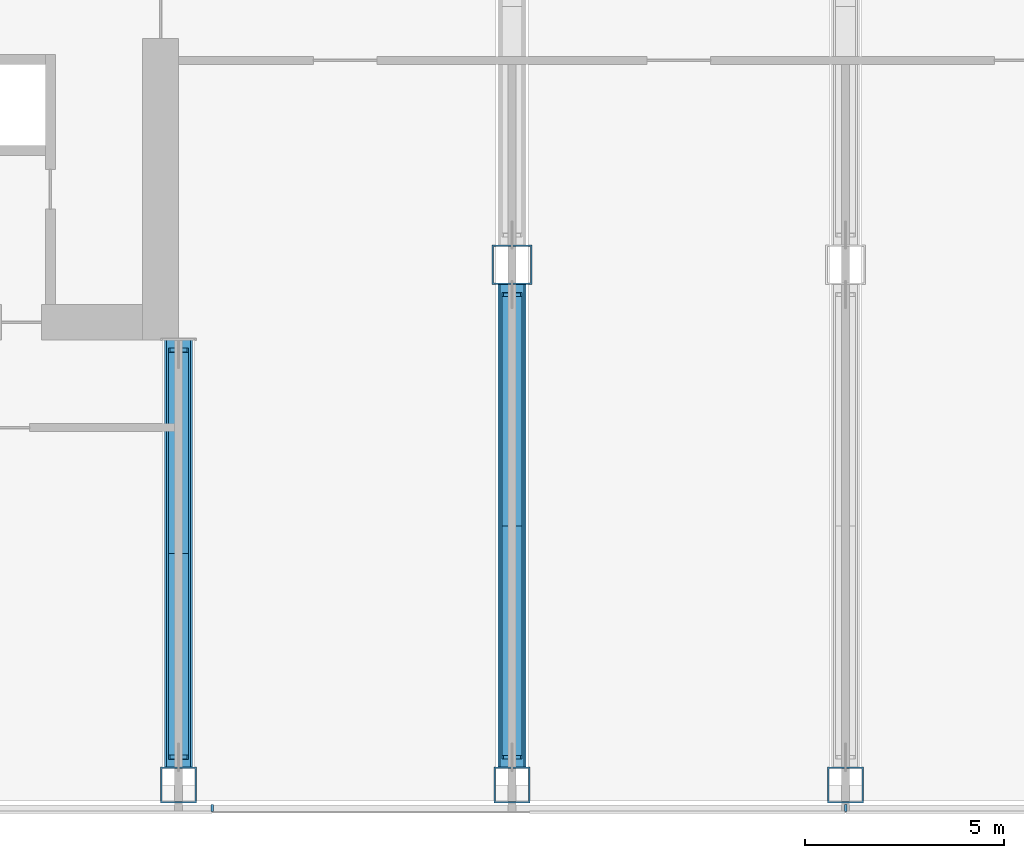
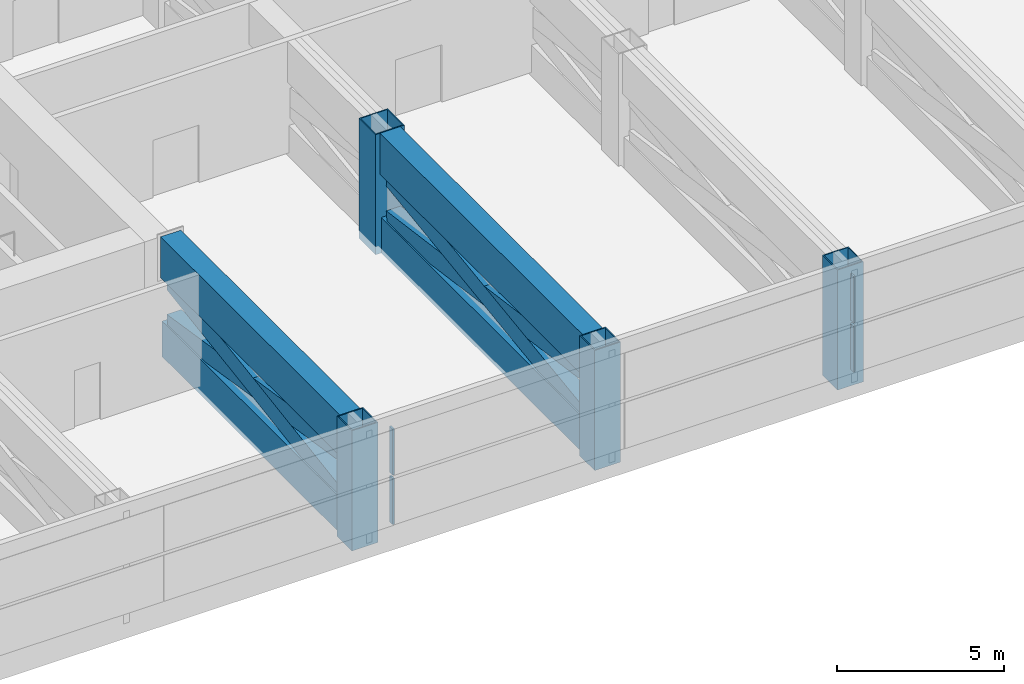
# One storey, part 5 of 30: 16 members, 1 element without a shape of its own.
"""IFC4 building model written with IfcOpenShell, lengths in metres."""

from ifc_helpers import new_model, si_unit, direction, frame, origin, origin_2d, place, context, subcontext, project, spatial, rectangle, hollow_rectangle, extrude, material, layer, layer_set, material_profile, profile_set, type_object, element, aggregate, save


model = new_model("IFC4")

# Units and contexts
model_context = context("Model", 3, precision=1e-05, world=origin(), true_north=direction((0.0, 1.0)))
body_context = subcontext(model_context, "Body", "Model", "MODEL_VIEW")
ifc_project = project(units=[si_unit("LENGTHUNIT", "METRE"), si_unit("AREAUNIT", "SQUARE_METRE"), si_unit("VOLUMEUNIT", "CUBIC_METRE"), si_unit("PLANEANGLEUNIT", "RADIAN"), si_unit("MASSUNIT", "GRAM", prefix="KILO")], contexts=[model_context])

# Site, building, storey
site_placement = place(None, origin())
site = spatial("IfcSite", under=ifc_project, at=site_placement, CompositionType="ELEMENT")
building_placement = place(site_placement, origin())
building = spatial("IfcBuilding", under=site, at=building_placement, Name="Hakoniwa Tower and Hamabe Station Hall", CompositionType="ELEMENT")
storey_placement = place(building_placement, frame((0.0, 0.0, 64.60009765625)))
storey = spatial("IfcBuildingStorey", under=building, at=storey_placement, Name="L18", CompositionType="ELEMENT", Elevation=64.60009765625)

# Curtain wall, members
ifc_material_1 = material(Name="Dark low-e laminated glass", Category="glass")
ifc_layer = layer(ifc_material_1, 0.199951171875)
ifc_layer_set = layer_set([ifc_layer], Name="CW-6 PLANT LOUVRE")
curtain_wall_type = type_object("IfcCurtainWallType", Name="CW-6 PLANT LOUVRE", PredefinedType="NOTDEFINED", material=ifc_layer_set)
curtain_wall_placement = place(storey_placement, origin())
curtain_wall = element("IfcCurtainWall", 1, at=curtain_wall_placement, inside=storey, type_object=curtain_wall_type, Name="CW-6 curtain wall", PredefinedType="NOTDEFINED")
ifc_material_2 = material(Name="Aluminium 6063-T5 black anodised", Category="aluminium")
ifc_material_profile_1 = material_profile(ifc_material_2, rectangle(XDim=0.06005859375, YDim=0.179931640625, at=origin_2d()), Name="CW-1 MULLION 60X180")
ifc_profile_set_1 = profile_set([ifc_material_profile_1], Name="Aluminium 6063-T5 black anodised")
member_type_1 = type_object("IfcMemberType", Name="CW-1 MULLION 60X180", PredefinedType="MULLION", material=ifc_profile_set_1)
member_1_placement = place(storey_placement, frame((-15.946533203125, -20.181884765625, 0.349853515625), z_axis=(0.0, 0.0, 1.0), x_axis=(1.0, 0.0, 0.0)))
member_1 = element("IfcMember", 2, at=member_1_placement, type_object=member_type_1, Name="CW-6 mullion", PredefinedType="MULLION", context=body_context, shape_type="SweptSolid", body=[
    extrude(rectangle(XDim=0.06005859375, YDim=0.179931640625, at=origin_2d()), origin(), (0.0, 0.0, 1.0), 1.68994140625),
])
member_2_placement = place(storey_placement, frame((-15.946533203125, -20.181884765625, 2.159912109375), z_axis=(0.0, 0.0, 1.0), x_axis=(1.0, 0.0, 0.0)))
member_2 = element("IfcMember", 3, at=member_2_placement, type_object=member_type_1, Name="CW-6 mullion", PredefinedType="MULLION", context=body_context, shape_type="SweptSolid", body=[
    extrude(rectangle(XDim=0.06005859375, YDim=0.179931640625, at=origin_2d()), origin(), (0.0, 0.0, 1.0), 1.68994140625),
])
member_3_placement = place(storey_placement, frame((0.0, -20.181884765625, 0.349853515625), z_axis=(0.0, 0.0, 1.0), x_axis=(1.0, 0.0, 0.0)))
member_3 = element("IfcMember", 4, at=member_3_placement, type_object=member_type_1, Name="CW-6 mullion", PredefinedType="MULLION", context=body_context, shape_type="SweptSolid", body=[
    extrude(rectangle(XDim=0.06005859375, YDim=0.179931640625, at=origin_2d()), origin(), (0.0, 0.0, 1.0), 1.68994140625),
])
member_4_placement = place(storey_placement, frame((0.0, -20.181884765625, 2.159912109375), z_axis=(0.0, 0.0, 1.0), x_axis=(1.0, 0.0, 0.0)))
member_4 = element("IfcMember", 5, at=member_4_placement, type_object=member_type_1, Name="CW-6 mullion", PredefinedType="MULLION", context=body_context, shape_type="SweptSolid", body=[
    extrude(rectangle(XDim=0.06005859375, YDim=0.179931640625, at=origin_2d()), origin(), (0.0, 0.0, 1.0), 1.68994140625),
])
aggregate(curtain_wall, [member_1, member_2, member_3, member_4])

# Members
ifc_material_3 = material(Name="Steel SN490C", Category="steel")
ifc_material_profile_2 = material_profile(ifc_material_3, hollow_rectangle(XDim=0.60009765625, YDim=1.300048828125, WallThickness=0.050048828125, at=origin_2d()), Name="BX-1300x600x50")
ifc_profile_set_2 = profile_set([ifc_material_profile_2], Name="Steel SN490C")
member_type_2 = type_object("IfcMemberType", Name="TRUSS CHORD BX-1300x600x50", PredefinedType="CHORD", material=ifc_profile_set_2)
member_5_placement = place(storey_placement, frame((-16.800048828125, -19.14990234375, 0.349853515625), z_axis=(0.0, 1.0, 0.0), x_axis=(-1.0, 0.0, 0.0)))
element("IfcMember", 6, at=member_5_placement, inside=storey, type_object=member_type_2, Name="Truss T1-10-BC01", PredefinedType="CHORD", context=body_context, shape_type="SweptSolid", body=[
    extrude(hollow_rectangle(XDim=0.60009765625, YDim=1.300048828125, WallThickness=0.050048828125, at=origin_2d()), origin(), (0.0, 0.0, 1.0), 10.75),
])
member_6_placement = place(storey_placement, frame((-8.39990234375, -19.14990234375, 0.349853515625), z_axis=(0.0, 1.0, 0.0), x_axis=(-1.0, 0.0, 0.0)))
element("IfcMember", 7, at=member_6_placement, inside=storey, type_object=member_type_2, Name="Truss T1-12-BC01", PredefinedType="CHORD", context=body_context, shape_type="SweptSolid", body=[
    extrude(hollow_rectangle(XDim=0.60009765625, YDim=1.300048828125, WallThickness=0.050048828125, at=origin_2d()), origin(), (0.0, 0.0, 1.0), 12.14990234375),
])
ifc_material_4 = material(Name="Steel SN490C", Category="steel")
ifc_material_profile_3 = material_profile(ifc_material_4, hollow_rectangle(XDim=0.699951171875, YDim=1.5, WallThickness=0.054931640625, at=origin_2d()), Name="BX-1500x700x55")
ifc_profile_set_3 = profile_set([ifc_material_profile_3], Name="Steel SN490C")
member_type_3 = type_object("IfcMemberType", Name="TRUSS CHORD BX-1500x700x55", PredefinedType="CHORD", material=ifc_profile_set_3)
member_7_placement = place(storey_placement, frame((-16.800048828125, -19.14990234375, 3.349853515625), z_axis=(0.0, 1.0, 0.0), x_axis=(-1.0, 0.0, 0.0)))
element("IfcMember", 8, at=member_7_placement, inside=storey, type_object=member_type_3, Name="Truss T1-10-TC01", PredefinedType="CHORD", context=body_context, shape_type="SweptSolid", body=[
    extrude(hollow_rectangle(XDim=0.699951171875, YDim=1.5, WallThickness=0.054931640625, at=origin_2d()), origin(), (0.0, 0.0, 1.0), 10.75),
])
member_8_placement = place(storey_placement, frame((-8.39990234375, -19.14990234375, 3.349853515625), z_axis=(0.0, 1.0, 0.0), x_axis=(-1.0, 0.0, 0.0)))
element("IfcMember", 9, at=member_8_placement, inside=storey, type_object=member_type_3, Name="Truss T1-12-TC01", PredefinedType="CHORD", context=body_context, shape_type="SweptSolid", body=[
    extrude(hollow_rectangle(XDim=0.699951171875, YDim=1.5, WallThickness=0.054931640625, at=origin_2d()), origin(), (0.0, 0.0, 1.0), 12.14990234375),
])
ifc_material_5 = material(Name="Steel SN490C", Category="steel")
ifc_material_profile_4 = material_profile(ifc_material_5, hollow_rectangle(XDim=0.5, YDim=0.699951171875, WallThickness=0.031982421875, at=origin_2d()), Name="BX-700x500x32")
ifc_profile_set_4 = profile_set([ifc_material_profile_4], Name="Steel SN490C")
member_type_4 = type_object("IfcMemberType", Name="TRUSS DIAGONAL BX-700x500x32", PredefinedType="BRACE", material=ifc_profile_set_4)
for number, where, z_axis, x_axis, name in (
    (10, (-16.800048828125, -18.89990234375, 1.0), (0.0, 0.988037147164, 0.15421606863), (-1.0, 0.0, 0.0), "Truss T1-10-D01a"),
    (11, (-16.800048828125, -18.89990234375, 2.599853515625), (0.0, 0.988037147164, -0.15421606863), (-1.0, 0.0, 0.0), "Truss T1-10-D01b"),
):
    element("IfcMember", number, at=place(storey_placement, frame(where, z_axis=z_axis, x_axis=x_axis)), inside=storey, type_object=member_type_4, Name=name, PredefinedType="BRACE", context=body_context, shape_type="SweptSolid", body=[
        extrude(hollow_rectangle(XDim=0.5, YDim=0.699951171875, WallThickness=0.031982421875, at=origin_2d()), origin(), (0.0, 0.0, 1.0), 10.3740234375),
    ])
for number, where, z_axis, x_axis, name in (
    (12, (-8.39990234375, -18.89990234375, 1.0), (0.0, 0.990701870054, 0.136050743), (-1.0, 0.0, 0.0), "Truss T1-12-D01a"),
    (13, (-8.39990234375, -18.89990234375, 2.599853515625), (0.0, 0.990701870054, -0.136050743), (-1.0, 0.0, 0.0), "Truss T1-12-D01b"),
):
    element("IfcMember", number, at=place(storey_placement, frame(where, z_axis=z_axis, x_axis=x_axis)), inside=storey, type_object=member_type_4, Name=name, PredefinedType="BRACE", context=body_context, shape_type="SweptSolid", body=[
        extrude(hollow_rectangle(XDim=0.5, YDim=0.699951171875, WallThickness=0.031982421875, at=origin_2d()), origin(), (0.0, 0.0, 1.0), 11.75927734375),
    ])
ifc_material_6 = material(Name="Steel SN490C", Category="steel")
ifc_material_profile_5 = material_profile(ifc_material_6, hollow_rectangle(XDim=1.0, YDim=1.0, WallThickness=0.0400390625, at=origin_2d()), Name="BX-1000x1000x40")
ifc_profile_set_5 = profile_set([ifc_material_profile_5], Name="Steel SN490C")
member_type_5 = type_object("IfcMemberType", Name="TRUSS POST BX-1000x1000x40", PredefinedType="POST", material=ifc_profile_set_5)
member_9_placement = place(storey_placement, frame((-8.39990234375, -6.5, -0.300048828125), z_axis=(0.0, 0.0, 1.0), x_axis=(1.0, 0.0, 0.0)))
element("IfcMember", 14, at=member_9_placement, inside=storey, type_object=member_type_5, Name="Truss T1-12-P02", PredefinedType="POST", context=body_context, shape_type="SweptSolid", body=[
    extrude(hollow_rectangle(XDim=1.0, YDim=1.0, WallThickness=0.0400390625, at=origin_2d()), origin(), (0.0, 0.0, 1.0), 4.39990234375),
])
ifc_material_7 = material(Name="Steel SN490C", Category="steel")
ifc_material_profile_6 = material_profile(ifc_material_7, hollow_rectangle(XDim=0.89990234375, YDim=0.89990234375, WallThickness=0.035888671875, at=origin_2d()), Name="BX-900x900x36")
ifc_profile_set_6 = profile_set([ifc_material_profile_6], Name="Steel SN490C")
member_type_6 = type_object("IfcMemberType", Name="TRUSS POST BX-900x900x36", PredefinedType="POST", material=ifc_profile_set_6)
for number, where, z_axis, x_axis, name in (
    (15, (-16.800048828125, -19.60009765625, -0.300048828125), (0.0, 0.0, 1.0), (1.0, 0.0, 0.0), "Truss T1-10-P01"),
    (16, (-8.39990234375, -19.60009765625, -0.300048828125), (0.0, 0.0, 1.0), (1.0, 0.0, 0.0), "Truss T1-12-P01"),
    (17, (0.0, -19.60009765625, -0.300048828125), (0.0, 0.0, 1.0), (1.0, 0.0, 0.0), "Truss T1-13-P01"),
):
    element("IfcMember", number, at=place(storey_placement, frame(where, z_axis=z_axis, x_axis=x_axis)), inside=storey, type_object=member_type_6, Name=name, PredefinedType="POST", context=body_context, shape_type="SweptSolid", body=[
        extrude(hollow_rectangle(XDim=0.89990234375, YDim=0.89990234375, WallThickness=0.035888671875, at=origin_2d()), origin(), (0.0, 0.0, 1.0), 4.39990234375),
    ])

save(model, "model.ifc")
